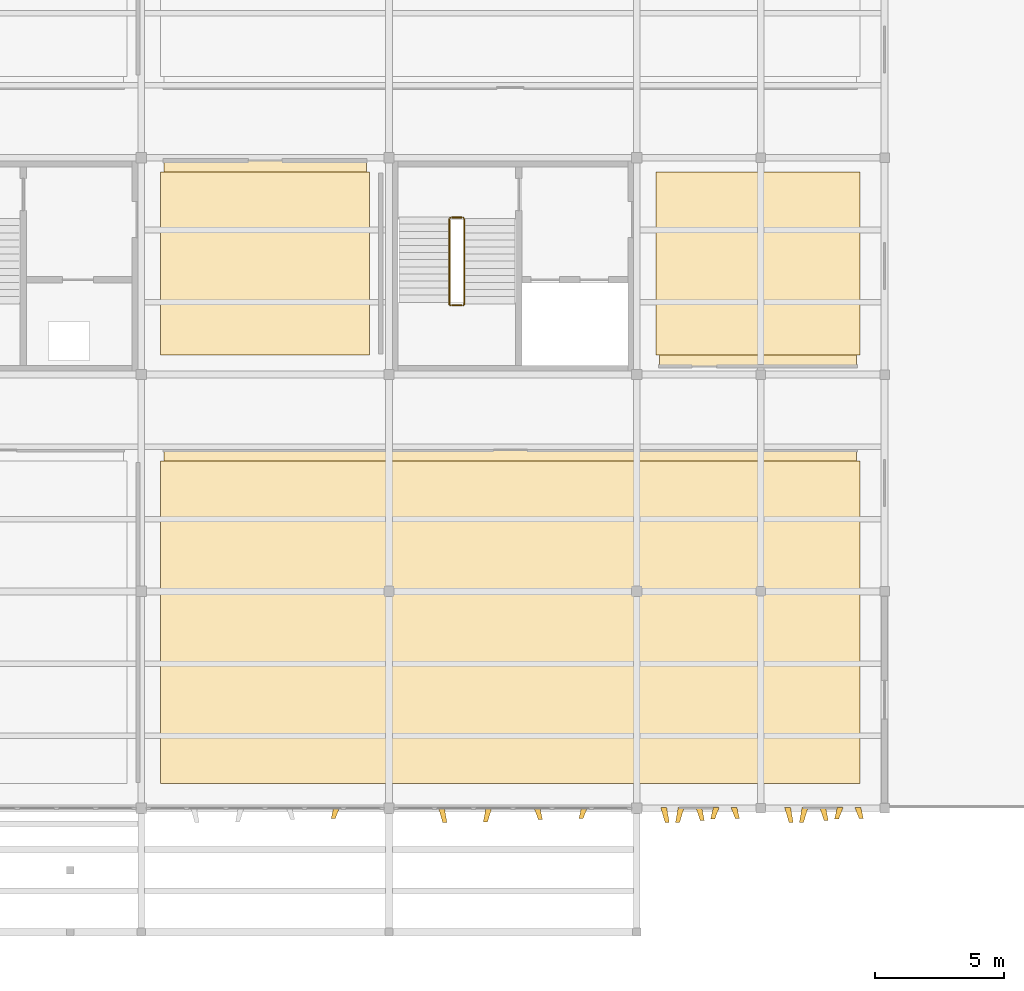
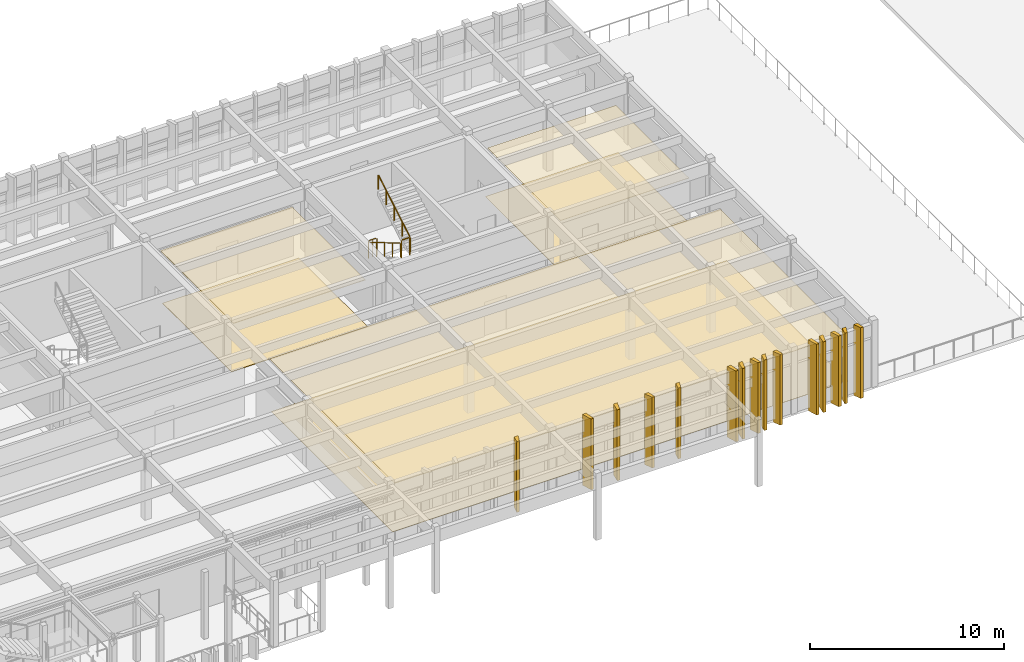
# One storey, part 39 of 42: 21 coverings, 4 railings.
"""IFC4 building model written with IfcOpenShell, lengths in metres."""

from ifc_helpers import new_model, si_unit, direction, frame, origin, origin_2d, place, context, subcontext, project, spatial, polyline, circle, outline, extrude, material, layer, layer_set, type_object, element, save


model = new_model("IFC4")

# Units and contexts
model_context = context("Model", 3, precision=1e-05, world=origin(), true_north=direction((0.0, 1.0)))
body_context = subcontext(model_context, "Body", "Model", "MODEL_VIEW")
ifc_project = project(units=[si_unit("LENGTHUNIT", "METRE"), si_unit("AREAUNIT", "SQUARE_METRE"), si_unit("VOLUMEUNIT", "CUBIC_METRE"), si_unit("PLANEANGLEUNIT", "RADIAN"), si_unit("MASSUNIT", "GRAM", prefix="KILO")], contexts=[model_context])

# Site, building, storey
site_placement = place(None, origin())
site = spatial("IfcSite", under=ifc_project, at=site_placement, CompositionType="ELEMENT")
building_placement = place(site_placement, origin())
building = spatial("IfcBuilding", under=site, at=building_placement, Name="Kolvemor Railside Polytechnic", CompositionType="ELEMENT")
storey_placement = place(building_placement, frame((0.0, 0.0, 14.39990234375)))
storey = spatial("IfcBuildingStorey", under=building, at=storey_placement, Name="L03", CompositionType="ELEMENT", Elevation=14.39990234375)

# Coverings
ifc_material_1 = material(Name="Perforated acoustic mineral-fibre and timber-slat ceiling", Category="wood")
ifc_layer_1 = layer(ifc_material_1, 0.02490234375, Name="COV-CEIL-1")
ifc_layer_set_1 = layer_set([ifc_layer_1], Name="Perforated acoustic mineral-fibre and timber-slat ceiling")
covering_type_1 = type_object("IfcCoveringType", Name="COV-CEIL-1", PredefinedType="CEILING", material=ifc_layer_set_1)
covering_1_placement = place(storey_placement, frame((0.0, 0.0, 3.005126953125)))
element("IfcCovering", 1, at=covering_1_placement, inside=storey, type_object=covering_type_1, Name="Embedded Microelectronics Laboratory Acoustic Ceiling", PredefinedType="CEILING", context=body_context, shape_type="SweptSolid", body=[
    extrude(outline(polyline([(96.8798828125, 5.75), (123.719970703125, 5.75), (123.719970703125, 18.679931640625), (96.8798828125, 18.679931640625), (96.8798828125, 5.75)])), origin(), (0.0, 0.0, 1.0), 0.02490234375),
])
covering_2_placement = place(storey_placement, frame((0.0, 0.0, 3.005126953125)))
element("IfcCovering", 2, at=covering_2_placement, inside=storey, type_object=covering_type_1, Name="Main Stack Public and Accessible WC L03 Acoustic Ceiling", PredefinedType="CEILING", context=body_context, shape_type="SweptSolid", body=[
    extrude(outline(polyline([(116.080078125, 21.919921875), (123.719970703125, 21.919921875), (123.719970703125, 29.449951171875), (116.080078125, 29.449951171875), (116.080078125, 21.919921875)])), origin(), (0.0, 0.0, 1.0), 0.02490234375),
])
ifc_material_2 = material(Name="Perforated acoustic mineral-fibre and timber-slat ceiling", Category="wood")
ifc_layer_2 = layer(ifc_material_2, 0.0400390625, Name="COV-CEIL-4")
ifc_layer_set_2 = layer_set([ifc_layer_2], Name="Perforated acoustic mineral-fibre and timber-slat ceiling")
covering_type_2 = type_object("IfcCoveringType", Name="COV-CEIL-4", PredefinedType="CEILING", material=ifc_layer_set_2)
covering_3_placement = place(storey_placement, frame((0.0, 0.0, 2.989990234375)))
element("IfcCovering", 3, at=covering_3_placement, inside=storey, type_object=covering_type_2, Name="Industrial Automation Laboratory Acoustic Ceiling", PredefinedType="CEILING", context=body_context, shape_type="SweptSolid", body=[
    extrude(outline(polyline([(96.8798828125, 22.35009765625), (104.719970703125, 22.35009765625), (104.719970703125, 29.8798828125), (96.8798828125, 29.8798828125), (96.8798828125, 22.35009765625)])), origin(), (0.0, 0.0, 1.0), 0.0400390625),
])
ifc_material_3 = material(Name="Champagne-bronze PVDF-anodised marine aluminium 5052-H32", Category="aluminium")
ifc_layer_3 = layer(ifc_material_3, 0.179931640625, Name="COV-FIN-CHAMP")
ifc_layer_set_3 = layer_set([ifc_layer_3], Name="Champagne-bronze PVDF-anodised marine aluminium 5052-H32")
covering_type_3 = type_object("IfcCoveringType", Name="COV-FIN-CHAMP", PredefinedType="CLADDING", material=ifc_layer_set_3)
covering_4_placement = place(storey_placement, frame((0.0, 0.0, -0.25)))
element("IfcCovering", 4, at=covering_4_placement, inside=storey, type_object=covering_type_3, Name="Pleated Solar Fin L03-0376", PredefinedType="CLADDING", context=body_context, shape_type="SweptSolid", body=[
    extrude(outline(polyline([(107.510009765625, 4.8349609375), (107.739990234375, 4.8349609375), (107.844970703125, 4.237060546875), (107.68505859375, 4.237060546875), (107.510009765625, 4.8349609375)])), origin(), (0.0, 0.0, 1.0), 4.4501953125),
])
covering_5_placement = place(storey_placement, frame((0.0, 0.0, -0.25)))
element("IfcCovering", 5, at=covering_5_placement, inside=storey, type_object=covering_type_3, Name="Pleated Solar Fin L03-0377", PredefinedType="CLADDING", context=body_context, shape_type="SweptSolid", body=[
    extrude(outline(polyline([(109.360107421875, 4.8349609375), (109.590087890625, 4.8349609375), (109.4150390625, 4.26904296875), (109.2548828125, 4.26904296875), (109.360107421875, 4.8349609375)])), origin(), (0.0, 0.0, 1.0), 4.4501953125),
])
covering_6_placement = place(storey_placement, frame((0.0, 0.0, -0.25)))
element("IfcCovering", 6, at=covering_6_placement, inside=storey, type_object=covering_type_3, Name="Pleated Solar Fin L03-0378", PredefinedType="CLADDING", context=body_context, shape_type="SweptSolid", body=[
    extrude(outline(polyline([(111.2099609375, 4.8349609375), (111.43994140625, 4.8349609375), (111.544921875, 4.361083984375), (111.385009765625, 4.361083984375), (111.2099609375, 4.8349609375)])), origin(), (0.0, 0.0, 1.0), 4.4501953125),
])
covering_7_placement = place(storey_placement, frame((0.0, 0.0, -0.25)))
element("IfcCovering", 7, at=covering_7_placement, inside=storey, type_object=covering_type_3, Name="Pleated Solar Fin L03-0379", PredefinedType="CLADDING", context=body_context, shape_type="SweptSolid", body=[
    extrude(outline(polyline([(113.06005859375, 4.8349609375), (113.2900390625, 4.8349609375), (113.114990234375, 4.39306640625), (112.955078125, 4.39306640625), (113.06005859375, 4.8349609375)])), origin(), (0.0, 0.0, 1.0), 4.4501953125),
])
covering_8_placement = place(storey_placement, frame((0.0, 0.0, -0.25)))
element("IfcCovering", 8, at=covering_8_placement, inside=storey, type_object=covering_type_3, Name="Pleated Solar Fin L03-0385", PredefinedType="CLADDING", context=body_context, shape_type="SweptSolid", body=[
    extrude(outline(polyline([(120.925048828125, 4.8349609375), (121.155029296875, 4.8349609375), (121.260009765625, 4.237060546875), (121.10009765625, 4.237060546875), (120.925048828125, 4.8349609375)])), origin(), (0.0, 0.0, 1.0), 4.4501953125),
])
covering_9_placement = place(storey_placement, frame((0.0, 0.0, -0.25)))
element("IfcCovering", 9, at=covering_9_placement, inside=storey, type_object=covering_type_3, Name="Pleated Solar Fin L03-0386", PredefinedType="CLADDING", context=body_context, shape_type="SweptSolid", body=[
    extrude(outline(polyline([(121.60498046875, 4.8349609375), (121.8349609375, 4.8349609375), (121.659912109375, 4.2529296875), (121.5, 4.2529296875), (121.60498046875, 4.8349609375)])), origin(), (0.0, 0.0, 1.0), 4.4501953125),
])
covering_10_placement = place(storey_placement, frame((0.0, 0.0, -0.25)))
element("IfcCovering", 10, at=covering_10_placement, inside=storey, type_object=covering_type_3, Name="Pleated Solar Fin L03-0387", PredefinedType="CLADDING", context=body_context, shape_type="SweptSolid", body=[
    extrude(outline(polyline([(122.284912109375, 4.8349609375), (122.514892578125, 4.8349609375), (122.6201171875, 4.31494140625), (122.4599609375, 4.31494140625), (122.284912109375, 4.8349609375)])), origin(), (0.0, 0.0, 1.0), 4.4501953125),
])
covering_11_placement = place(storey_placement, frame((0.0, 0.0, -0.25)))
element("IfcCovering", 11, at=covering_11_placement, inside=storey, type_object=covering_type_3, Name="Pleated Solar Fin L03-0388", PredefinedType="CLADDING", context=body_context, shape_type="SweptSolid", body=[
    extrude(outline(polyline([(122.965087890625, 4.8349609375), (123.195068359375, 4.8349609375), (123.02001953125, 4.376953125), (122.860107421875, 4.376953125), (122.965087890625, 4.8349609375)])), origin(), (0.0, 0.0, 1.0), 4.4501953125),
])
covering_12_placement = place(storey_placement, frame((0.0, 0.0, -0.25)))
element("IfcCovering", 12, at=covering_12_placement, inside=storey, type_object=covering_type_3, Name="Pleated Solar Fin L03-0389", PredefinedType="CLADDING", context=body_context, shape_type="SweptSolid", body=[
    extrude(outline(polyline([(123.64501953125, 4.8349609375), (123.875, 4.8349609375), (123.97998046875, 4.39306640625), (123.820068359375, 4.39306640625), (123.64501953125, 4.8349609375)])), origin(), (0.0, 0.0, 1.0), 4.4501953125),
])
ifc_material_4 = material(Name="Sea-mist PVDF-anodised marine aluminium 5052-H32", Category="aluminium")
ifc_layer_4 = layer(ifc_material_4, 0.159912109375, Name="COV-FIN-MIST")
ifc_layer_set_4 = layer_set([ifc_layer_4], Name="Sea-mist PVDF-anodised marine aluminium 5052-H32")
covering_type_4 = type_object("IfcCoveringType", Name="COV-FIN-MIST", PredefinedType="CLADDING", material=ifc_layer_set_4)
covering_13_placement = place(storey_placement, frame((0.0, 0.0, -0.25)))
element("IfcCovering", 13, at=covering_13_placement, inside=storey, type_object=covering_type_4, Name="Pleated Solar Fin L03-0375", PredefinedType="CLADDING", context=body_context, shape_type="SweptSolid", body=[
    extrude(outline(polyline([(103.4599609375, 4.8349609375), (103.68994140625, 4.8349609375), (103.514892578125, 4.39306640625), (103.35498046875, 4.39306640625), (103.4599609375, 4.8349609375)])), origin(), (0.0, 0.0, 1.0), 4.4501953125),
])
covering_14_placement = place(storey_placement, frame((0.0, 0.0, -0.25)))
element("IfcCovering", 14, at=covering_14_placement, inside=storey, type_object=covering_type_4, Name="Pleated Solar Fin L03-0380", PredefinedType="CLADDING", context=body_context, shape_type="SweptSolid", body=[
    extrude(outline(polyline([(116.125, 4.8349609375), (116.35498046875, 4.8349609375), (116.4599609375, 4.237060546875), (116.300048828125, 4.237060546875), (116.125, 4.8349609375)])), origin(), (0.0, 0.0, 1.0), 4.4501953125),
])
covering_15_placement = place(storey_placement, frame((0.0, 0.0, -0.25)))
element("IfcCovering", 15, at=covering_15_placement, inside=storey, type_object=covering_type_4, Name="Pleated Solar Fin L03-0381", PredefinedType="CLADDING", context=body_context, shape_type="SweptSolid", body=[
    extrude(outline(polyline([(116.804931640625, 4.8349609375), (117.034912109375, 4.8349609375), (116.860107421875, 4.2529296875), (116.699951171875, 4.2529296875), (116.804931640625, 4.8349609375)])), origin(), (0.0, 0.0, 1.0), 4.4501953125),
])
covering_16_placement = place(storey_placement, frame((0.0, 0.0, -0.25)))
element("IfcCovering", 16, at=covering_16_placement, inside=storey, type_object=covering_type_4, Name="Pleated Solar Fin L03-0382", PredefinedType="CLADDING", context=body_context, shape_type="SweptSolid", body=[
    extrude(outline(polyline([(117.485107421875, 4.8349609375), (117.715087890625, 4.8349609375), (117.820068359375, 4.31494140625), (117.659912109375, 4.31494140625), (117.485107421875, 4.8349609375)])), origin(), (0.0, 0.0, 1.0), 4.4501953125),
])
covering_17_placement = place(storey_placement, frame((0.0, 0.0, -0.25)))
element("IfcCovering", 17, at=covering_17_placement, inside=storey, type_object=covering_type_4, Name="Pleated Solar Fin L03-0383", PredefinedType="CLADDING", context=body_context, shape_type="SweptSolid", body=[
    extrude(outline(polyline([(118.1650390625, 4.8349609375), (118.39501953125, 4.8349609375), (118.219970703125, 4.376953125), (118.06005859375, 4.376953125), (118.1650390625, 4.8349609375)])), origin(), (0.0, 0.0, 1.0), 4.4501953125),
])
covering_18_placement = place(storey_placement, frame((0.0, 0.0, -0.25)))
element("IfcCovering", 18, at=covering_18_placement, inside=storey, type_object=covering_type_4, Name="Pleated Solar Fin L03-0384", PredefinedType="CLADDING", context=body_context, shape_type="SweptSolid", body=[
    extrude(outline(polyline([(118.844970703125, 4.8349609375), (119.074951171875, 4.8349609375), (119.179931640625, 4.39306640625), (119.02001953125, 4.39306640625), (118.844970703125, 4.8349609375)])), origin(), (0.0, 0.0, 1.0), 4.4501953125),
])
ifc_material_5 = material(Name="Polished coral-aggregate terrazzo and laboratory epoxy flooring")
ifc_layer_5 = layer(ifc_material_5, 0.02001953125, Name="COV-FLR-1")
ifc_layer_set_5 = layer_set([ifc_layer_5], Name="Polished coral-aggregate terrazzo and laboratory epoxy flooring")
covering_type_5 = type_object("IfcCoveringType", Name="COV-FLR-1", PredefinedType="FLOORING", material=ifc_layer_set_5)
covering_19_placement = place(storey_placement, origin())
element("IfcCovering", 19, at=covering_19_placement, inside=storey, type_object=covering_type_5, Name="Embedded Microelectronics Laboratory Floor Finish", PredefinedType="FLOORING", context=body_context, shape_type="SweptSolid", body=[
    extrude(outline(polyline([(96.75, 5.75), (123.85009765625, 5.75), (123.85009765625, 18.25), (96.75, 18.25), (96.75, 5.75)])), origin(), (0.0, 0.0, 1.0), 0.02001953125),
])
covering_20_placement = place(storey_placement, origin())
element("IfcCovering", 20, at=covering_20_placement, inside=storey, type_object=covering_type_5, Name="Main Stack Public and Accessible WC L03 Floor Finish", PredefinedType="FLOORING", context=body_context, shape_type="SweptSolid", body=[
    extrude(outline(polyline([(115.949951171875, 22.35009765625), (123.85009765625, 22.35009765625), (123.85009765625, 29.449951171875), (115.949951171875, 29.449951171875), (115.949951171875, 22.35009765625)])), origin(), (0.0, 0.0, 1.0), 0.02001953125),
])
ifc_material_6 = material(Name="Polished coral-aggregate terrazzo and laboratory epoxy flooring")
ifc_layer_6 = layer(ifc_material_6, 0.034912109375, Name="COV-FLR-4")
ifc_layer_set_6 = layer_set([ifc_layer_6], Name="Polished coral-aggregate terrazzo and laboratory epoxy flooring")
covering_type_6 = type_object("IfcCoveringType", Name="COV-FLR-4", PredefinedType="FLOORING", material=ifc_layer_set_6)
covering_21_placement = place(storey_placement, origin())
element("IfcCovering", 21, at=covering_21_placement, inside=storey, type_object=covering_type_6, Name="Industrial Automation Laboratory Floor Finish", PredefinedType="FLOORING", context=body_context, shape_type="SweptSolid", body=[
    extrude(outline(polyline([(96.75, 22.35009765625), (104.85009765625, 22.35009765625), (104.85009765625, 29.449951171875), (96.75, 29.449951171875), (96.75, 22.35009765625)])), origin(), (0.0, 0.0, 1.0), 0.03515625),
])

# Railings
ifc_material_7 = material(Name="AISI 316 marine stainless-steel balustrade guard", Category="steel")
railing_type_1 = type_object("IfcRailingType", Name="RLG-GUARD-1120", PredefinedType="BALUSTRADE", material=ifc_material_7)
railing_1_placement = place(storey_placement, frame((107.97998046875, 27.679931640625, 0.0)))
element("IfcRailing", 22, at=railing_1_placement, inside=storey, type_object=railing_type_1, Name="ST-2 Floor Slot Guard L03", PredefinedType="BALUSTRADE", context=body_context, shape_type="SweptSolid", body=[
    extrude(circle(Radius=0.02392578125, at=origin_2d()), frame((0.054931640625, 0.0, 1.09619140625), z_axis=(1.0, 0.0, 0.0), x_axis=(0.0, 1.0, 0.0)), (0.0, 0.0, 1.0), 0.389892578125),
    extrude(circle(Radius=0.02099609375, at=origin_2d()), origin(), (0.0, 0.0, 1.0), 1.05712890625),
    extrude(circle(Radius=0.02099609375, at=origin_2d()), frame((0.25, 0.0, 0.0)), (0.0, 0.0, 1.0), 1.05712890625),
    extrude(circle(Radius=0.02099609375, at=origin_2d()), frame((0.5, 0.0, 0.0)), (0.0, 0.0, 1.0), 1.05712890625),
])
railing_2_placement = place(storey_placement, frame((107.97998046875, 24.280029296875, 2.10009765625)))
element("IfcRailing", 23, at=railing_2_placement, inside=storey, type_object=railing_type_1, Name="ST-2 Half-Landing Slot Guard L03", PredefinedType="BALUSTRADE", context=body_context, shape_type="SweptSolid", body=[
    extrude(circle(Radius=0.02392578125, at=origin_2d()), frame((0.054931640625, 0.0, 1.09619140625), z_axis=(1.0, 0.0, 0.0), x_axis=(0.0, 1.0, 0.0)), (0.0, 0.0, 1.0), 0.389892578125),
    extrude(circle(Radius=0.02099609375, at=origin_2d()), origin(), (0.0, 0.0, 1.0), 1.05712890625),
    extrude(circle(Radius=0.02099609375, at=origin_2d()), frame((0.5, 0.0, 0.0)), (0.0, 0.0, 1.0), 1.05712890625),
])
ifc_material_8 = material(Name="Brushed AISI 316 stainless-steel stair handrail", Category="steel")
railing_type_2 = type_object("IfcRailingType", Name="RLG-HANDRAIL-920", PredefinedType="HANDRAIL", material=ifc_material_8)
railing_3_placement = place(storey_placement, frame((107.93994140625, 27.6201171875, 0.16162109375)))
element("IfcRailing", 24, at=railing_3_placement, inside=storey, type_object=railing_type_2, Name="ST-2 Flight 1 Handrail L03", PredefinedType="HANDRAIL", context=body_context, shape_type="SweptSolid", body=[
    extrude(circle(Radius=0.02392578125, at=origin_2d()), frame((0.0, -0.04736328125, 0.923828125), z_axis=(0.0, -0.862245621732, 0.506490362991), x_axis=(1.0, 0.0, 0.0)), (0.0, 0.0, 1.0), 3.71728515625),
    extrude(circle(Radius=0.02099609375, at=origin_2d()), origin(), (0.0, 0.0, 1.0), 0.85693359375),
    extrude(circle(Radius=0.02099609375, at=origin_2d()), frame((0.0, -0.824951171875, 0.484619140625)), (0.0, 0.0, 1.0), 0.85693359375),
    extrude(circle(Radius=0.02099609375, at=origin_2d()), frame((0.0, -1.64990234375, 0.96923828125)), (0.0, 0.0, 1.0), 0.85693359375),
    extrude(circle(Radius=0.02099609375, at=origin_2d()), frame((0.0, -2.47509765625, 1.453857421875)), (0.0, 0.0, 1.0), 0.85693359375),
    extrude(circle(Radius=0.02099609375, at=origin_2d()), frame((0.0, -3.300048828125, 1.9384765625)), (0.0, 0.0, 1.0), 0.85693359375),
])
railing_4_placement = place(storey_placement, frame((108.52001953125, 24.320068359375, 2.26171875)))
element("IfcRailing", 25, at=railing_4_placement, inside=storey, type_object=railing_type_2, Name="ST-2 Flight 2 Handrail L03", PredefinedType="HANDRAIL", context=body_context, shape_type="SweptSolid", body=[
    extrude(circle(Radius=0.02392578125, at=origin_2d()), frame((0.0, 0.04736328125, 0.923828125), z_axis=(0.0, 0.862245621732, 0.506490362991), x_axis=(-1.0, 0.0, 0.0)), (0.0, 0.0, 1.0), 3.71728515625),
    extrude(circle(Radius=0.02099609375, at=origin_2d()), origin(), (0.0, 0.0, 1.0), 0.85693359375),
    extrude(circle(Radius=0.02099609375, at=origin_2d()), frame((0.0, 0.824951171875, 0.484619140625)), (0.0, 0.0, 1.0), 0.85693359375),
    extrude(circle(Radius=0.02099609375, at=origin_2d()), frame((0.0, 1.64990234375, 0.96923828125)), (0.0, 0.0, 1.0), 0.85693359375),
    extrude(circle(Radius=0.02099609375, at=origin_2d()), frame((0.0, 2.47509765625, 1.453857421875)), (0.0, 0.0, 1.0), 0.85693359375),
    extrude(circle(Radius=0.02099609375, at=origin_2d()), frame((0.0, 3.300048828125, 1.9384765625)), (0.0, 0.0, 1.0), 0.85693359375),
])

save(model, "model.ifc")
